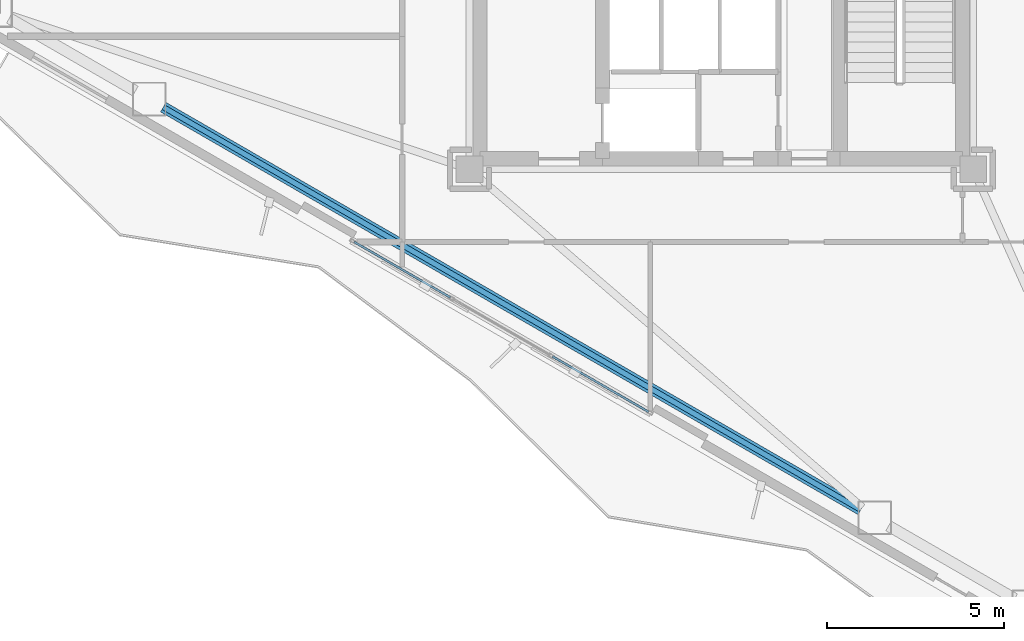
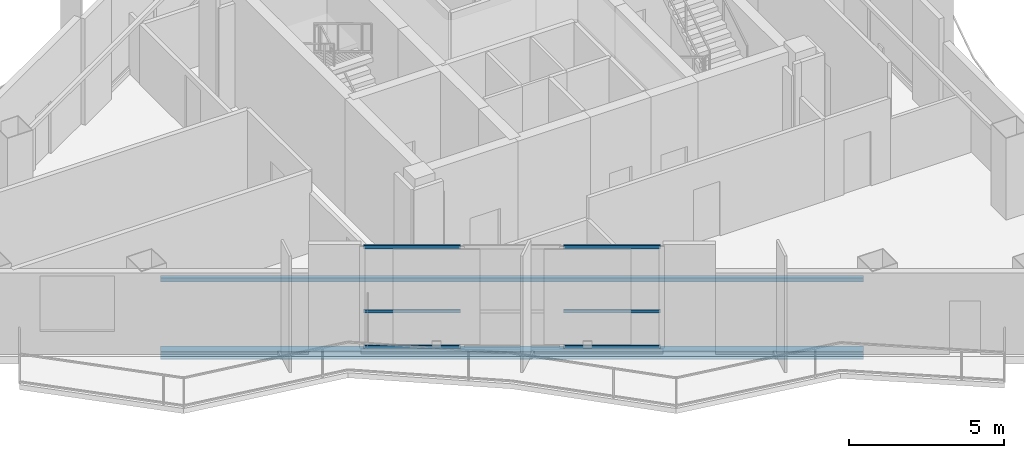
# One storey, part 3 of 18: 6 members, 2 beams, 1 element without a shape of its own.
"""IFC4 building model written with IfcOpenShell, lengths in metres."""

from ifc_helpers import new_model, si_unit, direction, frame, origin, origin_2d, place, context, subcontext, project, spatial, hollow_rectangle, i_section, extrude, material, layer, layer_set, material_profile, profile_set, type_object, element, aggregate, save


model = new_model("IFC4")

# Units and contexts
model_context = context("Model", 3, precision=1e-05, world=origin(), true_north=direction((0.0, 1.0)))
body_context = subcontext(model_context, "Body", "Model", "MODEL_VIEW")
ifc_project = project(units=[si_unit("LENGTHUNIT", "METRE"), si_unit("AREAUNIT", "SQUARE_METRE"), si_unit("VOLUMEUNIT", "CUBIC_METRE"), si_unit("PLANEANGLEUNIT", "RADIAN"), si_unit("MASSUNIT", "GRAM", prefix="KILO")], contexts=[model_context])

# Site, building, storey
site_placement = place(None, origin())
site = spatial("IfcSite", under=ifc_project, at=site_placement, CompositionType="ELEMENT")
building_placement = place(site_placement, origin())
building = spatial("IfcBuilding", under=site, at=building_placement, Name="Mersakhor Tower and Convention Hall", CompositionType="ELEMENT")
storey_placement = place(building_placement, frame((0.0, 0.0, 170.699951171875)))
storey = spatial("IfcBuildingStorey", under=building, at=storey_placement, Name="L47", CompositionType="ELEMENT", Elevation=170.699951171875)

# Beams
ifc_material_1 = material(Name="Steel S355", Category="steel")
ifc_material_profile_1 = material_profile(ifc_material_1, hollow_rectangle(XDim=0.14990234375, YDim=0.14990234375, WallThickness=0.010009765625, at=origin_2d()), Name="SHS 150x150x10")
ifc_profile_set_1 = profile_set([ifc_material_profile_1], Name="Steel S355")
beam_type_1 = type_object("IfcBeamType", Name="BM-GRT-SHS150", PredefinedType="USERDEFINED", material=ifc_profile_set_1)
beam_1_placement = place(storey_placement, frame((32.92822265625, 10.852294921875, 2.47998046875), z_axis=(-0.86602942013, 0.499993043422, 0.0), x_axis=(-0.499993043422, -0.86602942013, 0.0)))
element("IfcBeam", 1, at=beam_1_placement, inside=storey, type_object=beam_type_1, Name="L47 Facade Support Girt GRT-F3", ObjectType="GIRT", PredefinedType="USERDEFINED", context=body_context, shape_type="SweptSolid", body=[
    extrude(hollow_rectangle(XDim=0.14990234375, YDim=0.14990234375, WallThickness=0.010009765625, at=origin_2d()), origin(), (0.0, 0.0, 1.0), 22.701416015625),
])
ifc_material_2 = material(Name="Steel S355", Category="steel")
ifc_material_profile_2 = material_profile(ifc_material_2, i_section(OverallWidth=0.30908203125, OverallDepth=0.320556640625, WebThickness=0.013916015625, FlangeThickness=0.021728515625, at=origin_2d()), Name="UC 305x305x137")
ifc_profile_set_2 = profile_set([ifc_material_profile_2], Name="Steel S355")
beam_type_2 = type_object("IfcBeamType", Name="BM-SPD-UC305", PredefinedType="SPANDREL", material=ifc_profile_set_2)
beam_2_placement = place(storey_placement, frame((32.92822265625, 10.852294921875, -0.440185546875), z_axis=(-0.86602942013, 0.499993043422, 0.0), x_axis=(-0.499993043422, -0.86602942013, 0.0)))
element("IfcBeam", 2, at=beam_2_placement, inside=storey, type_object=beam_type_2, Name="L47 Perimeter Spandrel Beam SPB-10", PredefinedType="SPANDREL", context=body_context, shape_type="SweptSolid", body=[
    extrude(i_section(OverallWidth=0.30908203125, OverallDepth=0.320556640625, WebThickness=0.013916015625, FlangeThickness=0.021728515625, at=origin_2d()), origin(), (0.0, 0.0, 1.0), 22.701416015625),
])

# Curtain wall, members
ifc_material_3 = material(Name="Dark solar low-E aluminium curtain wall", Category="aluminium")
ifc_layer = layer(ifc_material_3, 0.199951171875)
ifc_layer_set = layer_set([ifc_layer], Name="Dark solar low-E aluminium curtain wall")
curtain_wall_type = type_object("IfcCurtainWallType", Name="CW-SYS-05", PredefinedType="USERDEFINED", material=ifc_layer_set)
curtain_wall_placement = place(storey_placement, origin())
curtain_wall = element("IfcCurtainWall", 3, at=curtain_wall_placement, inside=storey, type_object=curtain_wall_type, Name="L47 Dark-Glass Curtain Wall F3-B2", ObjectType="CURTAIN WALL", PredefinedType="USERDEFINED")
ifc_material_4 = material(Name="Anodised aluminium EN AW-6063 T6", Category="aluminium")
ifc_material_profile_3 = material_profile(ifc_material_4, hollow_rectangle(XDim=0.06005859375, YDim=0.1201171875, WallThickness=0.0048828125, at=origin_2d()), Name="RHS 120x60x5")
ifc_profile_set_3 = profile_set([ifc_material_profile_3], Name="Anodised aluminium EN AW-6063 T6")
member_type = type_object("IfcMemberType", Name="CWT-120x60", PredefinedType="USERDEFINED", material=ifc_profile_set_3)
member_1_placement = place(storey_placement, frame((26.947509765625, 13.6123046875, 0.22998046875), z_axis=(-0.866029591389, 0.499992746786, 0.0), x_axis=(-0.499992746786, -0.866029591389, 0.0)))
member_1 = element("IfcMember", 4, at=member_1_placement, type_object=member_type, Name="CW-05 transom 1.1", ObjectType="TRANSOM", PredefinedType="USERDEFINED", context=body_context, shape_type="SweptSolid", body=[
    extrude(hollow_rectangle(XDim=0.06005859375, YDim=0.1201171875, WallThickness=0.0048828125, at=origin_2d()), origin(), (0.0, 0.0, 1.0), 3.12744140625),
])
member_2_placement = place(storey_placement, frame((26.947509765625, 13.6123046875, 1.6201171875), z_axis=(-0.866029591389, 0.499992746786, 0.0), x_axis=(-0.499992746786, -0.866029591389, 0.0)))
member_2 = element("IfcMember", 5, at=member_2_placement, type_object=member_type, Name="CW-05 transom 1.2", ObjectType="TRANSOM", PredefinedType="USERDEFINED", context=body_context, shape_type="SweptSolid", body=[
    extrude(hollow_rectangle(XDim=0.06005859375, YDim=0.1201171875, WallThickness=0.0048828125, at=origin_2d()), origin(), (0.0, 0.0, 1.0), 3.12744140625),
])
member_3_placement = place(storey_placement, frame((26.947509765625, 13.6123046875, 4.16015625), z_axis=(-0.866029591389, 0.499992746786, 0.0), x_axis=(-0.499992746786, -0.866029591389, 0.0)))
member_3 = element("IfcMember", 6, at=member_3_placement, type_object=member_type, Name="CW-05 transom 1.3", ObjectType="TRANSOM", PredefinedType="USERDEFINED", context=body_context, shape_type="SweptSolid", body=[
    extrude(hollow_rectangle(XDim=0.06005859375, YDim=0.1201171875, WallThickness=0.0048828125, at=origin_2d()), origin(), (0.0, 0.0, 1.0), 3.12744140625),
])
member_4_placement = place(storey_placement, frame((21.357177734375, 16.83984375, 0.22998046875), z_axis=(-0.866029591389, 0.499992746786, 0.0), x_axis=(-0.499992746786, -0.866029591389, 0.0)))
member_4 = element("IfcMember", 7, at=member_4_placement, type_object=member_type, Name="CW-05 transom 3.1", ObjectType="TRANSOM", PredefinedType="USERDEFINED", context=body_context, shape_type="SweptSolid", body=[
    extrude(hollow_rectangle(XDim=0.06005859375, YDim=0.1201171875, WallThickness=0.0048828125, at=origin_2d()), origin(), (0.0, 0.0, 1.0), 3.12744140625),
])
member_5_placement = place(storey_placement, frame((21.357177734375, 16.83984375, 1.6201171875), z_axis=(-0.866029591389, 0.499992746786, 0.0), x_axis=(-0.499992746786, -0.866029591389, 0.0)))
member_5 = element("IfcMember", 8, at=member_5_placement, type_object=member_type, Name="CW-05 transom 3.2", ObjectType="TRANSOM", PredefinedType="USERDEFINED", context=body_context, shape_type="SweptSolid", body=[
    extrude(hollow_rectangle(XDim=0.06005859375, YDim=0.1201171875, WallThickness=0.0048828125, at=origin_2d()), origin(), (0.0, 0.0, 1.0), 3.12744140625),
])
member_6_placement = place(storey_placement, frame((21.357177734375, 16.83984375, 4.16015625), z_axis=(-0.866029591389, 0.499992746786, 0.0), x_axis=(-0.499992746786, -0.866029591389, 0.0)))
member_6 = element("IfcMember", 9, at=member_6_placement, type_object=member_type, Name="CW-05 transom 3.3", ObjectType="TRANSOM", PredefinedType="USERDEFINED", context=body_context, shape_type="SweptSolid", body=[
    extrude(hollow_rectangle(XDim=0.06005859375, YDim=0.1201171875, WallThickness=0.0048828125, at=origin_2d()), origin(), (0.0, 0.0, 1.0), 3.12744140625),
])
aggregate(curtain_wall, [member_1, member_2, member_3, member_4, member_5, member_6])

save(model, "model.ifc")
